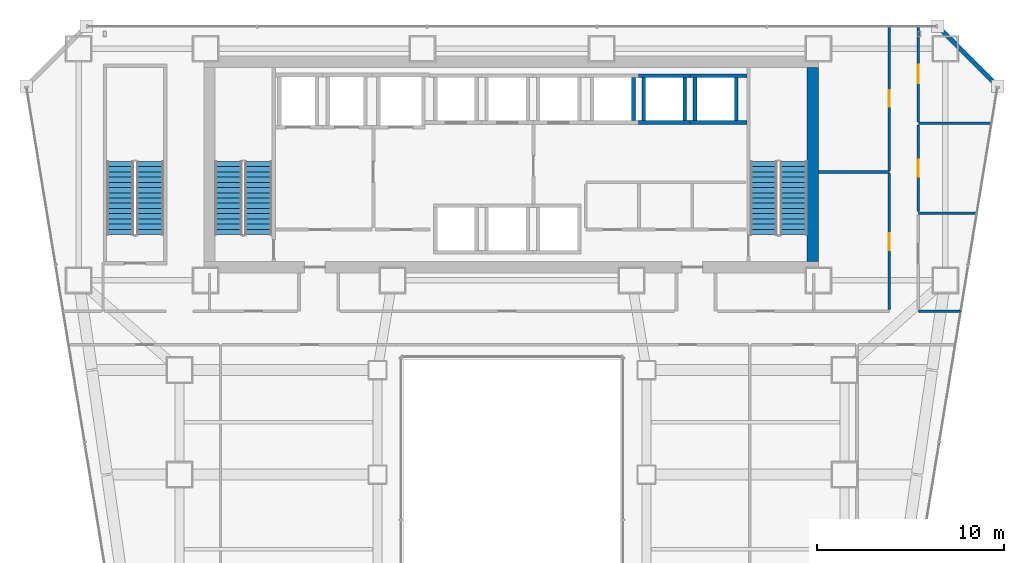
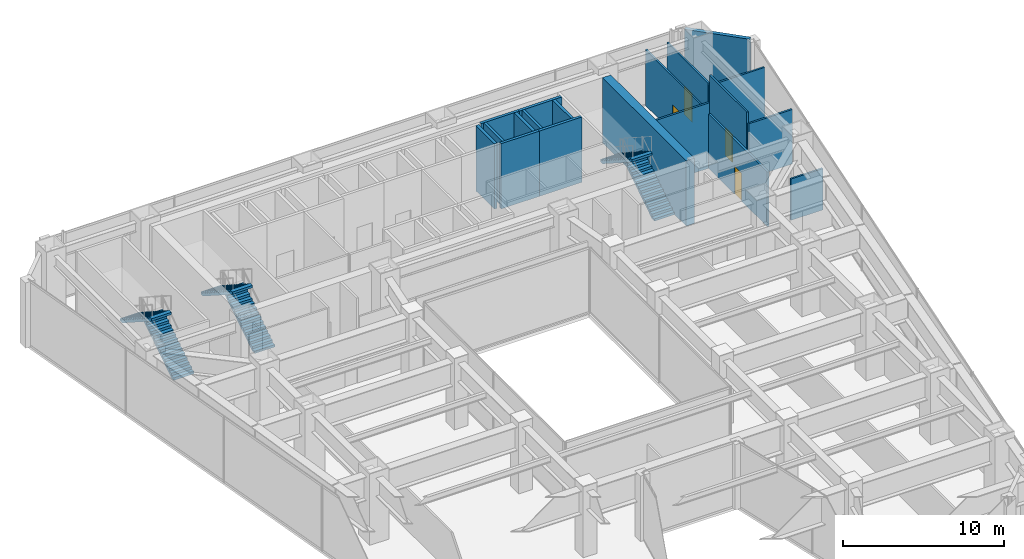
# One storey, part 39 of 42: 19 walls, 6 stair flights, 4 doors, 4 openings, 3 elements without a shape of their own.
"""IFC4 building model written with IfcOpenShell, lengths in metres."""

from ifc_helpers import new_model, si_unit, direction, frame, frame_2d, origin, place, context, subcontext, project, spatial, polyline, rectangle, outline, extrude, material, layer, layer_set, type_object, element, fill, aggregate, save


model = new_model("IFC4")

# Units and contexts
model_context = context("Model", 3, precision=1e-05, world=origin(), true_north=direction((0.0, 1.0)))
body_context = subcontext(model_context, "Body", "Model", "MODEL_VIEW")
ifc_project = project(units=[si_unit("LENGTHUNIT", "METRE"), si_unit("AREAUNIT", "SQUARE_METRE"), si_unit("VOLUMEUNIT", "CUBIC_METRE"), si_unit("PLANEANGLEUNIT", "RADIAN"), si_unit("MASSUNIT", "GRAM", prefix="KILO")], contexts=[model_context])

# Site, building, storey
site_placement = place(None, origin())
site = spatial("IfcSite", under=ifc_project, at=site_placement, CompositionType="ELEMENT")
building_placement = place(site_placement, origin())
building = spatial("IfcBuilding", under=site, at=building_placement, Name="Saevonmaru Cultural Tower", CompositionType="ELEMENT")
storey_placement = place(building_placement, frame((0.0, 0.0, 33.0)))
storey = spatial("IfcBuildingStorey", under=building, at=storey_placement, Name="L06", CompositionType="ELEMENT", Elevation=33.0)

# Walls
ifc_material_1 = material(Name="Concrete C60/75", Category="concrete")
ifc_layer_1 = layer(ifc_material_1, 0.60009765625, Name="Concrete C60/75")
ifc_layer_set_1 = layer_set([ifc_layer_1], Name="Concrete C60/75")
wall_type_1 = type_object("IfcWallType", Name="WL-CORE-600", PredefinedType="SHEAR", material=ifc_layer_set_1)
wall_1_placement = place(storey_placement, frame((46.10009765625, 43.39990234375, 0.0), z_axis=(0.0, 0.0, 1.0), x_axis=(0.0, 1.0, 0.0)))
element("IfcWall", 1, at=wall_1_placement, inside=storey, type_object=wall_type_1, Name="L06 Tower RC core shear wall E", PredefinedType="SHEAR", context=body_context, shape_type="SweptSolid", body=[
    extrude(rectangle(XDim=10.400146484375, YDim=0.60009765625, at=frame_2d((5.2001953125, 0.0))), origin(), (0.0, 0.0, 1.0), 4.949951171875),
])
ifc_material_2 = material(Name="Granite-Clad Precast Concrete C40/50", Category="masonry")
ifc_layer_2 = layer(ifc_material_2, 0.260009765625, Name="Granite-Clad Precast Concrete C40/50")
ifc_layer_set_2 = layer_set([ifc_layer_2], Name="Granite-Clad Precast Concrete C40/50")
wall_type_2 = type_object("IfcWallType", Name="WL-EXT-SPANDREL-260", PredefinedType="STANDARD", material=ifc_layer_set_2)
wall_2_placement = place(storey_placement, frame((55.886962890625, 52.9130859375, 0.0), z_axis=(0.0, 0.0, 1.0), x_axis=(-0.707106781187, 0.707106781187, 0.0)))
element("IfcWall", 2, at=wall_2_placement, inside=storey, type_object=wall_type_2, Name="L06 Chamfer Corner Spandrel Wall E9", PredefinedType="STANDARD", context=body_context, shape_type="SweptSolid", body=[
    extrude(rectangle(XDim=4.205810546875, YDim=0.260009765625, at=frame_2d((2.10302734375, 0.0))), origin(), (0.0, 0.0, 1.0), 4.949951171875),
])

# Wall, opening, door
ifc_material_3 = material(Name="Gypsum Fireboard Partition", Category="gypsum")
ifc_layer_3 = layer(ifc_material_3, 0.1201171875, Name="Gypsum Fireboard Partition")
ifc_layer_set_3 = layer_set([ifc_layer_3], Name="Gypsum Fireboard Partition")
wall_type_3 = type_object("IfcWallType", Name="WL-PART-GYP-120", PredefinedType="PARTITIONING", material=ifc_layer_set_3)
wall_3_placement = place(storey_placement, frame((50.199951171875, 48.2900390625, 0.0), z_axis=(0.0, 0.0, 1.0), x_axis=(0.0, 1.0, 0.0)))
wall_3 = element("IfcWall", 3, at=wall_3_placement, inside=storey, type_object=wall_type_3, Name="L06 Curatorial Research Office Corridor Wall", PredefinedType="PARTITIONING", context=body_context, shape_type="SweptSolid", body=[
    extrude(rectangle(XDim=7.705078125, YDim=0.1201171875, at=frame_2d((3.8525390625, 0.0))), origin(), (0.0, 0.0, 1.0), 4.235107421875),
])
opening_1_placement = place(wall_3_placement, frame((3.402099609375, 0.0, 0.0)))
opening_1 = element("IfcOpeningElement", 4, at=opening_1_placement, cuts=wall_3, Name="Opening ID-2", PredefinedType="OPENING", context=body_context, shape_type="SweptSolid", body=[
    extrude(rectangle(XDim=0.89990234375, YDim=2.10009765625, at=frame_2d((0.449951171875, 1.050048828125))), frame((0.0, 0.070068359375, 0.0), z_axis=(0.0, -1.0, 0.0), x_axis=(1.0, 0.0, 0.0)), (0.0, 0.0, 1.0), 0.14013671875),
])
ifc_material_4 = material(Name="Acoustic Stained Oak Timber", Category="wood")
door_type_1 = type_object("IfcDoorType", Name="DR-INT-900", OperationType="SINGLE_SWING_RIGHT", PredefinedType="DOOR", material=ifc_material_4)
door_1_placement = place(opening_1_placement, origin())
door_1 = element("IfcDoor", 5, at=door_1_placement, inside=storey, type_object=door_type_1, Name="L06 Curatorial Research Office Door", OperationType="SINGLE_SWING_LEFT", OverallHeight=2.10009765625, OverallWidth=0.89990234375, PredefinedType="DOOR", context=body_context, shape_type="SweptSolid", body=[
    extrude(rectangle(XDim=0.89990234375, YDim=2.10009765625, at=frame_2d((0.449951171875, 1.050048828125))), frame((0.0, 0.02490234375, 0.0), z_axis=(0.0, -1.0, 0.0), x_axis=(1.0, 0.0, 0.0)), (0.0, 0.0, 1.0), 0.050048828125),
])
fill(opening_1, door_1)

wall_4_placement = place(storey_placement, frame((51.75, 46.08740234375, 0.0), z_axis=(0.0, 0.0, 1.0), x_axis=(0.0, 1.0, 0.0)))
wall_4 = element("IfcWall", 6, at=wall_4_placement, inside=storey, type_object=wall_type_3, Name="L06 Design Seminar Classroom Corridor Wall", PredefinedType="PARTITIONING", context=body_context, shape_type="SweptSolid", body=[
    extrude(rectangle(XDim=4.625, YDim=0.1201171875, at=frame_2d((2.3125, 0.0))), origin(), (0.0, 0.0, 1.0), 4.949951171875),
])
opening_2_placement = place(wall_4_placement, frame((1.863037109375, 0.0, 0.0)))
opening_2 = element("IfcOpeningElement", 7, at=opening_2_placement, cuts=wall_4, Name="Opening ID-2", PredefinedType="OPENING", context=body_context, shape_type="SweptSolid", body=[
    extrude(rectangle(XDim=0.89990234375, YDim=2.10009765625, at=frame_2d((0.449951171875, 1.050048828125))), frame((0.0, 0.070068359375, 0.0), z_axis=(0.0, -1.0, 0.0), x_axis=(1.0, 0.0, 0.0)), (0.0, 0.0, 1.0), 0.14013671875),
])
door_2_placement = place(opening_2_placement, origin())
door_2 = element("IfcDoor", 8, at=door_2_placement, inside=storey, type_object=door_type_1, Name="L06 Design Seminar Classroom Door", OperationType="SINGLE_SWING_LEFT", OverallHeight=2.10009765625, OverallWidth=0.89990234375, PredefinedType="DOOR", context=body_context, shape_type="SweptSolid", body=[
    extrude(rectangle(XDim=0.89990234375, YDim=2.10009765625, at=frame_2d((0.449951171875, 1.050048828125))), frame((0.0, 0.02490234375, 0.0), z_axis=(0.0, -1.0, 0.0), x_axis=(1.0, 0.0, 0.0)), (0.0, 0.0, 1.0), 0.050048828125),
])
fill(opening_2, door_2)

wall_5_placement = place(storey_placement, frame((51.75, 50.887451171875, 0.0), z_axis=(0.0, 0.0, 1.0), x_axis=(0.0, 1.0, 0.0)))
wall_5 = element("IfcWall", 9, at=wall_5_placement, inside=storey, type_object=wall_type_3, Name="L06 Museum Espresso Cafe Corridor Wall", PredefinedType="PARTITIONING", context=body_context, shape_type="SweptSolid", body=[
    extrude(rectangle(XDim=5.107666015625, YDim=0.1201171875, at=frame_2d((2.5537109375, 0.0))), origin(), (0.0, 0.0, 1.0), 4.235107421875),
])
opening_3_placement = place(wall_5_placement, frame((2.053955078125, 0.0, 0.0)))
opening_3 = element("IfcOpeningElement", 10, at=opening_3_placement, cuts=wall_5, Name="Opening ID-1B", PredefinedType="OPENING", context=body_context, shape_type="SweptSolid", body=[
    extrude(rectangle(XDim=1.0, YDim=2.14990234375, at=frame_2d((0.5, 1.074951171875))), frame((0.0, 0.070068359375, 0.0), z_axis=(0.0, -1.0, 0.0), x_axis=(1.0, 0.0, 0.0)), (0.0, 0.0, 1.0), 0.14013671875),
])
door_type_2 = type_object("IfcDoorType", Name="DR-INT-1000", OperationType="SINGLE_SWING_RIGHT", PredefinedType="DOOR", material=ifc_material_4)
door_3_placement = place(opening_3_placement, origin())
door_3 = element("IfcDoor", 11, at=door_3_placement, inside=storey, type_object=door_type_2, Name="L06 Museum Espresso Cafe Door", OperationType="SINGLE_SWING_RIGHT", OverallHeight=2.14990234375, OverallWidth=1.0, PredefinedType="DOOR", context=body_context, shape_type="SweptSolid", body=[
    extrude(rectangle(XDim=1.0, YDim=2.14990234375, at=frame_2d((0.5, 1.074951171875))), frame((0.0, 0.02490234375, 0.0), z_axis=(0.0, -1.0, 0.0), x_axis=(1.0, 0.0, 0.0)), (0.0, 0.0, 1.0), 0.050048828125),
])
fill(opening_3, door_3)

# Walls
ifc_layer_4 = layer(ifc_material_3, 0.135009765625, Name="Gypsum Fireboard Partition")
ifc_layer_set_4 = layer_set([ifc_layer_4], Name="Gypsum Fireboard Partition")
wall_type_4 = type_object("IfcWallType", Name="WL-PART-GYP-135", PredefinedType="PARTITIONING", material=ifc_layer_set_4)
wall_6_placement = place(storey_placement, frame((51.75, 40.75, 0.0), z_axis=(0.0, 0.0, 1.0), x_axis=(1.0, 0.0, 0.0)))
element("IfcWall", 12, at=wall_6_placement, inside=storey, type_object=wall_type_4, Name="L06 NE Wing South Wall", PredefinedType="PARTITIONING", context=body_context, shape_type="SweptSolid", body=[
    extrude(rectangle(XDim=2.2705078125, YDim=0.135009765625, at=frame_2d((1.13525390625, 0.0))), origin(), (0.0, 0.0, 1.0), 3.135009765625),
])
wall_7_placement = place(storey_placement, frame((51.75, 46.0, 0.0), z_axis=(0.0, 0.0, 1.0), x_axis=(1.0, 0.0, 0.0)))
element("IfcWall", 13, at=wall_7_placement, inside=storey, type_object=wall_type_4, Name="L06 NE Studio Divider 1", PredefinedType="PARTITIONING", context=body_context, shape_type="SweptSolid", body=[
    extrude(rectangle(XDim=3.130615234375, YDim=0.135009765625, at=frame_2d((1.5654296875, 0.0))), origin(), (0.0, 0.0, 1.0), 4.135009765625),
])
wall_8_placement = place(storey_placement, frame((51.75, 50.800048828125, 0.0), z_axis=(0.0, 0.0, 1.0), x_axis=(1.0, 0.0, 0.0)))
element("IfcWall", 14, at=wall_8_placement, inside=storey, type_object=wall_type_4, Name="L06 NE Studio Divider 2", PredefinedType="PARTITIONING", context=body_context, shape_type="SweptSolid", body=[
    extrude(rectangle(XDim=3.917236328125, YDim=0.135009765625, at=frame_2d((1.95849609375, 0.0))), origin(), (0.0, 0.0, 1.0), 4.135009765625),
])
ifc_layer_5 = layer(ifc_material_3, 0.139892578125, Name="Gypsum Fireboard Partition")
ifc_layer_set_5 = layer_set([ifc_layer_5], Name="Gypsum Fireboard Partition")
wall_type_5 = type_object("IfcWallType", Name="WL-PART-WET-140", PredefinedType="PARTITIONING", material=ifc_layer_set_5)
wall_9_placement = place(storey_placement, frame((46.419921875, 48.199951171875, 0.0), z_axis=(0.0, 0.0, 1.0), x_axis=(1.0, 0.0, 0.0)))
element("IfcWall", 15, at=wall_9_placement, inside=storey, type_object=wall_type_5, Name="L06 Washroom North Wall", PredefinedType="PARTITIONING", context=body_context, shape_type="SweptSolid", body=[
    extrude(rectangle(XDim=3.780029296875, YDim=0.139892578125, at=frame_2d((1.89013671875, 0.0))), origin(), (0.0, 0.0, 1.0), 4.949951171875),
])

# Wall, opening, door
wall_10_placement = place(storey_placement, frame((50.199951171875, 40.840087890625, 0.0), z_axis=(0.0, 0.0, 1.0), x_axis=(0.0, 1.0, 0.0)))
wall_10 = element("IfcWall", 16, at=wall_10_placement, inside=storey, type_object=wall_type_5, Name="L06 Washroom Corridor Wall", PredefinedType="PARTITIONING", context=body_context, shape_type="SweptSolid", body=[
    extrude(rectangle(XDim=7.27001953125, YDim=0.139892578125, at=frame_2d((3.635009765625, 0.0))), origin(), (0.0, 0.0, 1.0), 4.135009765625),
])
opening_4_placement = place(wall_10_placement, frame((3.18505859375, 0.0, 0.0)))
opening_4 = element("IfcOpeningElement", 17, at=opening_4_placement, cuts=wall_10, Name="Opening ID-2", PredefinedType="OPENING", context=body_context, shape_type="SweptSolid", body=[
    extrude(rectangle(XDim=0.89990234375, YDim=2.10009765625, at=frame_2d((0.449951171875, 1.050048828125))), frame((0.0, 0.080078125, 0.0), z_axis=(0.0, -1.0, 0.0), x_axis=(1.0, 0.0, 0.0)), (0.0, 0.0, 1.0), 0.159912109375),
])
door_4_placement = place(opening_4_placement, origin())
door_4 = element("IfcDoor", 18, at=door_4_placement, inside=storey, type_object=door_type_1, Name="L06 Public Accessible Washrooms Door", OperationType="SINGLE_SWING_RIGHT", OverallHeight=2.10009765625, OverallWidth=0.89990234375, PredefinedType="DOOR", context=body_context, shape_type="SweptSolid", body=[
    extrude(rectangle(XDim=0.89990234375, YDim=2.10009765625, at=frame_2d((0.449951171875, 1.050048828125))), frame((0.0, 0.02490234375, 0.0), z_axis=(0.0, -1.0, 0.0), x_axis=(1.0, 0.0, 0.0)), (0.0, 0.0, 1.0), 0.050048828125),
])
fill(opening_4, door_4)

# Walls
ifc_material_5 = material(Name="Concrete C40/50", Category="concrete")
ifc_layer_6 = layer(ifc_material_5, 0.199951171875, Name="Concrete C40/50")
ifc_layer_set_6 = layer_set([ifc_layer_6], Name="Concrete C40/50")
wall_type_6 = type_object("IfcWallType", Name="WL-SHAFT-200", PredefinedType="SHEAR", material=ifc_layer_set_6)
wall_11_placement = place(storey_placement, frame((36.5, 50.949951171875, 0.0), z_axis=(0.0, 0.0, 1.0), x_axis=(0.0, 1.0, 0.0)))
element("IfcWall", 19, at=wall_11_placement, inside=storey, type_object=wall_type_6, Name="L06 Lift PL-H1 Hoistway Wall E", PredefinedType="SHEAR", context=body_context, shape_type="SweptSolid", body=[
    extrude(rectangle(XDim=2.300048828125, YDim=0.199951171875, at=frame_2d((1.14990234375, 0.0))), origin(), (0.0, 0.0, 1.0), 4.949951171875),
])
for number, where, z_axis, x_axis, name in (
    (20, (36.77490234375, 50.85009765625, 0.0), (0.0, 0.0, 1.0), (1.0, 0.0, 0.0), "L06 Lift PL-H2 Hoistway Wall S"),
    (21, (36.77490234375, 53.35009765625, 0.0), (0.0, 0.0, 1.0), (1.0, 0.0, 0.0), "L06 Lift PL-H2 Hoistway Wall N"),
):
    element("IfcWall", number, at=place(storey_placement, frame(where, z_axis=z_axis, x_axis=x_axis)), inside=storey, type_object=wall_type_6, Name=name, PredefinedType="SHEAR", context=body_context, shape_type="SweptSolid", body=[
        extrude(rectangle(XDim=2.75, YDim=0.199951171875, at=frame_2d((1.375, 0.0))), origin(), (0.0, 0.0, 1.0), 4.949951171875),
    ])
for number, where, z_axis, x_axis, name in (
    (22, (37.050048828125, 50.949951171875, 0.0), (0.0, 0.0, 1.0), (0.0, 1.0, 0.0), "L06 Lift PL-H2 Hoistway Wall W"),
    (23, (39.25, 50.949951171875, 0.0), (0.0, 0.0, 1.0), (0.0, 1.0, 0.0), "L06 Lift PL-H2 Hoistway Wall E"),
):
    element("IfcWall", number, at=place(storey_placement, frame(where, z_axis=z_axis, x_axis=x_axis)), inside=storey, type_object=wall_type_6, Name=name, PredefinedType="SHEAR", context=body_context, shape_type="SweptSolid", body=[
        extrude(rectangle(XDim=2.300048828125, YDim=0.199951171875, at=frame_2d((1.14990234375, 0.0))), origin(), (0.0, 0.0, 1.0), 4.949951171875),
    ])
for number, where, z_axis, x_axis, name in (
    (24, (39.52490234375, 50.85009765625, 0.0), (0.0, 0.0, 1.0), (1.0, 0.0, 0.0), "L06 Lift PL-H3 Hoistway Wall S"),
    (25, (39.52490234375, 53.35009765625, 0.0), (0.0, 0.0, 1.0), (1.0, 0.0, 0.0), "L06 Lift PL-H3 Hoistway Wall N"),
):
    element("IfcWall", number, at=place(storey_placement, frame(where, z_axis=z_axis, x_axis=x_axis)), inside=storey, type_object=wall_type_6, Name=name, PredefinedType="SHEAR", context=body_context, shape_type="SweptSolid", body=[
        extrude(rectangle(XDim=3.045166015625, YDim=0.199951171875, at=frame_2d((1.5224609375, 0.0))), origin(), (0.0, 0.0, 1.0), 4.949951171875),
    ])
for number, where, z_axis, x_axis, name in (
    (26, (39.800048828125, 50.949951171875, 0.0), (0.0, 0.0, 1.0), (0.0, 1.0, 0.0), "L06 Lift PL-H3 Hoistway Wall W"),
    (27, (42.0, 50.949951171875, 0.0), (0.0, 0.0, 1.0), (0.0, 1.0, 0.0), "L06 Lift PL-H3 Hoistway Wall E"),
):
    element("IfcWall", number, at=place(storey_placement, frame(where, z_axis=z_axis, x_axis=x_axis)), inside=storey, type_object=wall_type_6, Name=name, PredefinedType="SHEAR", context=body_context, shape_type="SweptSolid", body=[
        extrude(rectangle(XDim=2.300048828125, YDim=0.199951171875, at=frame_2d((1.14990234375, 0.0))), origin(), (0.0, 0.0, 1.0), 4.949951171875),
    ])

# Stair, stair flights
stair_type = type_object("IfcStairType", Name="STR-DOGLEG-RC", PredefinedType="HALF_TURN_STAIR", material=ifc_material_5)
stair_1_placement = place(storey_placement, origin())
stair_1 = element("IfcStair", 28, at=stair_1_placement, inside=storey, type_object=stair_type, Name="L06 Protected exit stair ST-1", PredefinedType="HALF_TURN_STAIR")
ifc_material_6 = material(Name="Precast concrete C40/50", Category="concrete")
stair_flight_type = type_object("IfcStairFlightType", Name="STF-PRECAST-180", PredefinedType="STRAIGHT", material=ifc_material_6)
stair_flight_1_placement = place(storey_placement, frame((16.425048828125, 44.85009765625, 0.0), z_axis=(0.0, 0.0, 1.0), x_axis=(0.0, 1.0, 0.0)))
stair_flight_1 = element("IfcStairFlight", 29, at=stair_flight_1_placement, type_object=stair_flight_type, Name="ST-1-L06 flight 1", NumberOfRisers=15, NumberOfTreads=14, PredefinedType="STRAIGHT", RiserHeight=0.18, TreadLength=0.28, context=body_context, shape_type="SweptSolid", body=[
    extrude(outline(polyline([(0.0, 0.0), (0.0, 0.179931640625), (0.280029296875, 0.179931640625), (0.280029296875, 0.360107421875), (0.56005859375, 0.360107421875), (0.56005859375, 0.5400390625), (0.840087890625, 0.5400390625), (0.840087890625, 0.719970703125), (1.1201171875, 0.719970703125), (1.1201171875, 0.89990234375), (1.39990234375, 0.89990234375), (1.39990234375, 1.080078125), (1.679931640625, 1.080078125), (1.679931640625, 1.260009765625), (1.9599609375, 1.260009765625), (1.9599609375, 1.43994140625), (2.239990234375, 1.43994140625), (2.239990234375, 1.6201171875), (2.52001953125, 1.6201171875), (2.52001953125, 1.800048828125), (2.800048828125, 1.800048828125), (2.800048828125, 1.97998046875), (3.080078125, 1.97998046875), (3.080078125, 2.159912109375), (3.360107421875, 2.159912109375), (3.360107421875, 2.340087890625), (3.639892578125, 2.340087890625), (3.639892578125, 2.52001953125), (3.919921875, 2.52001953125), (3.919921875, 2.699951171875), (3.919921875, 2.341796875), (0.277099609375, 0.0), (0.0, 0.0)])), frame((0.0, 0.72509765625, 0.0), z_axis=(0.0, -1.0, 0.0), x_axis=(1.0, 0.0, 0.0)), (0.0, 0.0, 1.0), 1.449951171875),
])
stair_flight_2_placement = place(storey_placement, frame((14.824951171875, 48.77001953125, 2.699951171875), z_axis=(0.0, 0.0, 1.0), x_axis=(0.0, -1.0, 0.0)))
stair_flight_2 = element("IfcStairFlight", 30, at=stair_flight_2_placement, type_object=stair_flight_type, Name="ST-1-L06 flight 2", NumberOfRisers=15, NumberOfTreads=14, PredefinedType="STRAIGHT", RiserHeight=0.18, TreadLength=0.28, context=body_context, shape_type="SweptSolid", body=[
    extrude(outline(polyline([(0.0, 0.0), (0.0, 0.179931640625), (0.280029296875, 0.179931640625), (0.280029296875, 0.360107421875), (0.56005859375, 0.360107421875), (0.56005859375, 0.5400390625), (0.840087890625, 0.5400390625), (0.840087890625, 0.719970703125), (1.1201171875, 0.719970703125), (1.1201171875, 0.89990234375), (1.39990234375, 0.89990234375), (1.39990234375, 1.080078125), (1.679931640625, 1.080078125), (1.679931640625, 1.260009765625), (1.9599609375, 1.260009765625), (1.9599609375, 1.43994140625), (2.239990234375, 1.43994140625), (2.239990234375, 1.6201171875), (2.52001953125, 1.6201171875), (2.52001953125, 1.800048828125), (2.800048828125, 1.800048828125), (2.800048828125, 1.97998046875), (3.080078125, 1.97998046875), (3.080078125, 2.159912109375), (3.360107421875, 2.159912109375), (3.360107421875, 2.340087890625), (3.639892578125, 2.340087890625), (3.639892578125, 2.52001953125), (3.919921875, 2.52001953125), (3.919921875, 2.699951171875), (3.919921875, 2.341796875), (0.277099609375, 0.0), (0.0, 0.0)])), frame((0.0, 0.72509765625, 0.0), z_axis=(0.0, -1.0, 0.0), x_axis=(1.0, 0.0, 0.0)), (0.0, 0.0, 1.0), 1.449951171875),
])
aggregate(stair_1, [stair_flight_1, stair_flight_2])

stair_2_placement = place(storey_placement, origin())
stair_2 = element("IfcStair", 31, at=stair_2_placement, inside=storey, type_object=stair_type, Name="L06 Protected exit stair ST-2", PredefinedType="HALF_TURN_STAIR")
stair_flight_3_placement = place(storey_placement, frame((45.074951171875, 44.85009765625, 0.0), z_axis=(0.0, 0.0, 1.0), x_axis=(0.0, 1.0, 0.0)))
stair_flight_3 = element("IfcStairFlight", 32, at=stair_flight_3_placement, type_object=stair_flight_type, Name="ST-2-L06 flight 1", NumberOfRisers=15, NumberOfTreads=14, PredefinedType="STRAIGHT", RiserHeight=0.18, TreadLength=0.28, context=body_context, shape_type="SweptSolid", body=[
    extrude(outline(polyline([(0.0, 0.0), (0.0, 0.179931640625), (0.280029296875, 0.179931640625), (0.280029296875, 0.360107421875), (0.56005859375, 0.360107421875), (0.56005859375, 0.5400390625), (0.840087890625, 0.5400390625), (0.840087890625, 0.719970703125), (1.1201171875, 0.719970703125), (1.1201171875, 0.89990234375), (1.39990234375, 0.89990234375), (1.39990234375, 1.080078125), (1.679931640625, 1.080078125), (1.679931640625, 1.260009765625), (1.9599609375, 1.260009765625), (1.9599609375, 1.43994140625), (2.239990234375, 1.43994140625), (2.239990234375, 1.6201171875), (2.52001953125, 1.6201171875), (2.52001953125, 1.800048828125), (2.800048828125, 1.800048828125), (2.800048828125, 1.97998046875), (3.080078125, 1.97998046875), (3.080078125, 2.159912109375), (3.360107421875, 2.159912109375), (3.360107421875, 2.340087890625), (3.639892578125, 2.340087890625), (3.639892578125, 2.52001953125), (3.919921875, 2.52001953125), (3.919921875, 2.699951171875), (3.919921875, 2.341796875), (0.277099609375, 0.0), (0.0, 0.0)])), frame((0.0, 0.72509765625, 0.0), z_axis=(0.0, -1.0, 0.0), x_axis=(1.0, 0.0, 0.0)), (0.0, 0.0, 1.0), 1.449951171875),
])
stair_flight_4_placement = place(storey_placement, frame((43.47509765625, 48.77001953125, 2.699951171875), z_axis=(0.0, 0.0, 1.0), x_axis=(0.0, -1.0, 0.0)))
stair_flight_4 = element("IfcStairFlight", 33, at=stair_flight_4_placement, type_object=stair_flight_type, Name="ST-2-L06 flight 2", NumberOfRisers=15, NumberOfTreads=14, PredefinedType="STRAIGHT", RiserHeight=0.18, TreadLength=0.28, context=body_context, shape_type="SweptSolid", body=[
    extrude(outline(polyline([(0.0, 0.0), (0.0, 0.179931640625), (0.280029296875, 0.179931640625), (0.280029296875, 0.360107421875), (0.56005859375, 0.360107421875), (0.56005859375, 0.5400390625), (0.840087890625, 0.5400390625), (0.840087890625, 0.719970703125), (1.1201171875, 0.719970703125), (1.1201171875, 0.89990234375), (1.39990234375, 0.89990234375), (1.39990234375, 1.080078125), (1.679931640625, 1.080078125), (1.679931640625, 1.260009765625), (1.9599609375, 1.260009765625), (1.9599609375, 1.43994140625), (2.239990234375, 1.43994140625), (2.239990234375, 1.6201171875), (2.52001953125, 1.6201171875), (2.52001953125, 1.800048828125), (2.800048828125, 1.800048828125), (2.800048828125, 1.97998046875), (3.080078125, 1.97998046875), (3.080078125, 2.159912109375), (3.360107421875, 2.159912109375), (3.360107421875, 2.340087890625), (3.639892578125, 2.340087890625), (3.639892578125, 2.52001953125), (3.919921875, 2.52001953125), (3.919921875, 2.699951171875), (3.919921875, 2.341796875), (0.277099609375, 0.0), (0.0, 0.0)])), frame((0.0, 0.72509765625, 0.0), z_axis=(0.0, -1.0, 0.0), x_axis=(1.0, 0.0, 0.0)), (0.0, 0.0, 1.0), 1.449951171875),
])
aggregate(stair_2, [stair_flight_3, stair_flight_4])

stair_3_placement = place(storey_placement, origin())
stair_3 = element("IfcStair", 34, at=stair_3_placement, inside=storey, type_object=stair_type, Name="L06 Protected exit stair ST-3", PredefinedType="HALF_TURN_STAIR")
stair_flight_5_placement = place(storey_placement, frame((10.625, 44.85009765625, 0.0), z_axis=(0.0, 0.0, 1.0), x_axis=(0.0, 1.0, 0.0)))
stair_flight_5 = element("IfcStairFlight", 35, at=stair_flight_5_placement, type_object=stair_flight_type, Name="ST-3-L06 flight 1", NumberOfRisers=15, NumberOfTreads=14, PredefinedType="STRAIGHT", RiserHeight=0.18, TreadLength=0.28, context=body_context, shape_type="SweptSolid", body=[
    extrude(outline(polyline([(0.0, 0.0), (0.0, 0.179931640625), (0.280029296875, 0.179931640625), (0.280029296875, 0.360107421875), (0.56005859375, 0.360107421875), (0.56005859375, 0.5400390625), (0.840087890625, 0.5400390625), (0.840087890625, 0.719970703125), (1.1201171875, 0.719970703125), (1.1201171875, 0.89990234375), (1.39990234375, 0.89990234375), (1.39990234375, 1.080078125), (1.679931640625, 1.080078125), (1.679931640625, 1.260009765625), (1.9599609375, 1.260009765625), (1.9599609375, 1.43994140625), (2.239990234375, 1.43994140625), (2.239990234375, 1.6201171875), (2.52001953125, 1.6201171875), (2.52001953125, 1.800048828125), (2.800048828125, 1.800048828125), (2.800048828125, 1.97998046875), (3.080078125, 1.97998046875), (3.080078125, 2.159912109375), (3.360107421875, 2.159912109375), (3.360107421875, 2.340087890625), (3.639892578125, 2.340087890625), (3.639892578125, 2.52001953125), (3.919921875, 2.52001953125), (3.919921875, 2.699951171875), (3.919921875, 2.341796875), (0.277099609375, 0.0), (0.0, 0.0)])), frame((0.0, 0.72509765625, 0.0), z_axis=(0.0, -1.0, 0.0), x_axis=(1.0, 0.0, 0.0)), (0.0, 0.0, 1.0), 1.449951171875),
])
stair_flight_6_placement = place(storey_placement, frame((9.02490234375, 48.77001953125, 2.699951171875), z_axis=(0.0, 0.0, 1.0), x_axis=(0.0, -1.0, 0.0)))
stair_flight_6 = element("IfcStairFlight", 36, at=stair_flight_6_placement, type_object=stair_flight_type, Name="ST-3-L06 flight 2", NumberOfRisers=15, NumberOfTreads=14, PredefinedType="STRAIGHT", RiserHeight=0.18, TreadLength=0.28, context=body_context, shape_type="SweptSolid", body=[
    extrude(outline(polyline([(0.0, 0.0), (0.0, 0.179931640625), (0.280029296875, 0.179931640625), (0.280029296875, 0.360107421875), (0.56005859375, 0.360107421875), (0.56005859375, 0.5400390625), (0.840087890625, 0.5400390625), (0.840087890625, 0.719970703125), (1.1201171875, 0.719970703125), (1.1201171875, 0.89990234375), (1.39990234375, 0.89990234375), (1.39990234375, 1.080078125), (1.679931640625, 1.080078125), (1.679931640625, 1.260009765625), (1.9599609375, 1.260009765625), (1.9599609375, 1.43994140625), (2.239990234375, 1.43994140625), (2.239990234375, 1.6201171875), (2.52001953125, 1.6201171875), (2.52001953125, 1.800048828125), (2.800048828125, 1.800048828125), (2.800048828125, 1.97998046875), (3.080078125, 1.97998046875), (3.080078125, 2.159912109375), (3.360107421875, 2.159912109375), (3.360107421875, 2.340087890625), (3.639892578125, 2.340087890625), (3.639892578125, 2.52001953125), (3.919921875, 2.52001953125), (3.919921875, 2.699951171875), (3.919921875, 2.341796875), (0.277099609375, 0.0), (0.0, 0.0)])), frame((0.0, 0.72509765625, 0.0), z_axis=(0.0, -1.0, 0.0), x_axis=(1.0, 0.0, 0.0)), (0.0, 0.0, 1.0), 1.449951171875),
])
aggregate(stair_3, [stair_flight_5, stair_flight_6])

save(model, "model.ifc")
